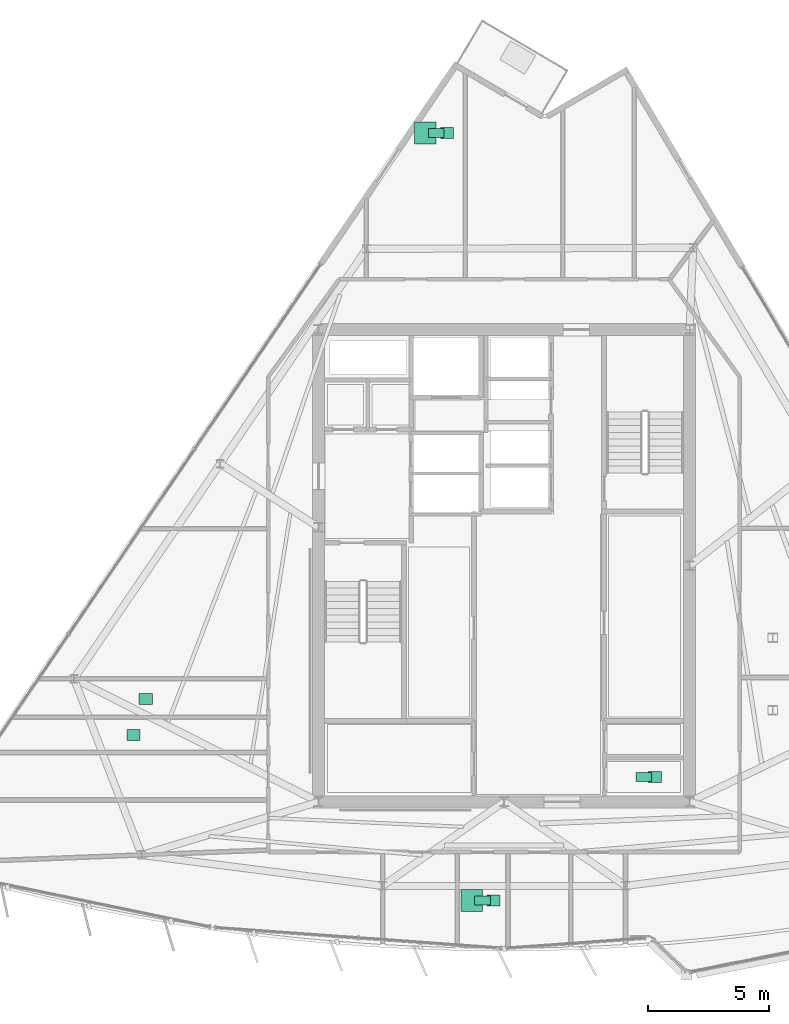
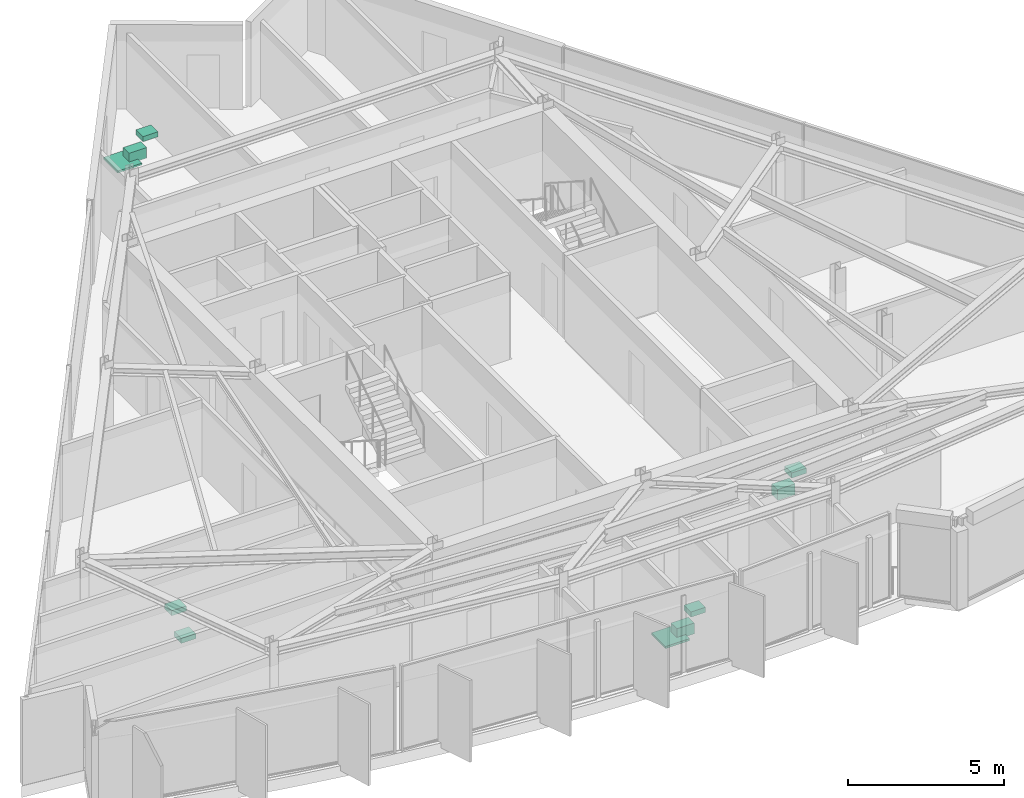
# One storey, part 14 of 14: 10 sanitary terminals.
"""IFC4 building model written with IfcOpenShell, lengths in metres."""

from ifc_helpers import new_model, si_unit, direction, frame, origin, origin_2d, place, context, subcontext, project, spatial, rectangle, extrude, material, type_object, element, save


model = new_model("IFC4")

# Units and contexts
model_context = context("Model", 3, precision=1e-05, world=origin(), true_north=direction((0.0, 1.0)))
body_context = subcontext(model_context, "Body", "Model", "MODEL_VIEW")
ifc_project = project(units=[si_unit("LENGTHUNIT", "METRE"), si_unit("AREAUNIT", "SQUARE_METRE"), si_unit("VOLUMEUNIT", "CUBIC_METRE"), si_unit("PLANEANGLEUNIT", "RADIAN"), si_unit("MASSUNIT", "GRAM", prefix="KILO")], contexts=[model_context])

# Site, building, storey
site_placement = place(None, origin())
site = spatial("IfcSite", under=ifc_project, at=site_placement, CompositionType="ELEMENT")
building_placement = place(site_placement, origin())
building = spatial("IfcBuilding", under=site, at=building_placement, Name="Savorim Split Tower", CompositionType="ELEMENT")
storey_placement = place(building_placement, frame((0.0, 0.0, 294.0)))
storey = spatial("IfcBuildingStorey", under=building, at=storey_placement, Name="L78", CompositionType="ELEMENT", Elevation=294.0)

# Sanitary terminals
ifc_material = material(Name="Vitreous China Sanitaryware")
sanitary_terminal_type_1 = type_object("IfcSanitaryTerminalType", Name="SAN-SHW-900", PredefinedType="SHOWER", material=ifc_material)
for number, where, z_axis, x_axis, name in (
    (1, (-1.341796875, -13.493896484375, 0.0), (0.0, 0.0, 1.0), (1.0, 0.0, 0.0), "L78 Shared Bathroom Shower"),
    (2, (-3.26513671875, 18.345947265625, 0.0), (0.0, 0.0, 1.0), (1.0, 0.0, 0.0), "L78 Shared Bathroom Shower"),
):
    element("IfcSanitaryTerminal", number, at=place(storey_placement, frame(where, z_axis=z_axis, x_axis=x_axis)), inside=storey, type_object=sanitary_terminal_type_1, Name=name, PredefinedType="SHOWER", context=body_context, shape_type="SweptSolid", body=[
        extrude(rectangle(XDim=0.89990234375, YDim=0.89990234375, at=origin_2d()), origin(), (0.0, 0.0, 1.0), 0.080078125),
    ])
sanitary_terminal_type_2 = type_object("IfcSanitaryTerminalType", Name="SAN-WC-PAN", PredefinedType="TOILETPAN", material=ifc_material)
for number, where, z_axis, x_axis, name in (
    (3, (5.800048828125, -8.3701171875, 0.0), (0.0, 0.0, 1.0), (1.0, 0.0, 0.0), "L78 Accessible WC WC Pan"),
    (4, (-0.891845703125, -13.493896484375, 0.0), (0.0, 0.0, 1.0), (1.0, 0.0, 0.0), "L78 Shared Bathroom WC Pan"),
    (5, (-2.815185546875, 18.345947265625, 0.0), (0.0, 0.0, 1.0), (1.0, 0.0, 0.0), "L78 Shared Bathroom WC Pan"),
):
    element("IfcSanitaryTerminal", number, at=place(storey_placement, frame(where, z_axis=z_axis, x_axis=x_axis)), inside=storey, type_object=sanitary_terminal_type_2, Name=name, PredefinedType="TOILETPAN", context=body_context, shape_type="SweptSolid", body=[
        extrude(rectangle(XDim=0.64990234375, YDim=0.3798828125, at=origin_2d()), origin(), (0.0, 0.0, 1.0), 0.419921875),
    ])
sanitary_terminal_type_3 = type_object("IfcSanitaryTerminalType", Name="SAN-WHB-550", PredefinedType="WASHHANDBASIN", material=ifc_material)
for number, where, z_axis, x_axis, name in (
    (6, (6.25, -8.3701171875, 0.72021484375), (0.0, 0.0, 1.0), (1.0, 0.0, 0.0), "L78 Accessible WC Washhand Basin"),
    (7, (-14.864990234375, -5.130859375, 0.75), (0.0, 0.0, 1.0), (1.0, 0.0, 0.0), "L78 Shared Kitchen Utility Sink"),
    (8, (-15.3720703125, -6.6220703125, 0.75), (0.0, 0.0, 1.0), (1.0, 0.0, 0.0), "L78 Community Laundry Room Utility Sink"),
    (9, (-0.44189453125, -13.493896484375, 0.72021484375), (0.0, 0.0, 1.0), (1.0, 0.0, 0.0), "L78 Shared Bathroom Washhand Basin"),
    (10, (-2.365234375, 18.345947265625, 0.72021484375), (0.0, 0.0, 1.0), (1.0, 0.0, 0.0), "L78 Shared Bathroom Washhand Basin"),
):
    element("IfcSanitaryTerminal", number, at=place(storey_placement, frame(where, z_axis=z_axis, x_axis=x_axis)), inside=storey, type_object=sanitary_terminal_type_3, Name=name, PredefinedType="WASHHANDBASIN", context=body_context, shape_type="SweptSolid", body=[
        extrude(rectangle(XDim=0.550048828125, YDim=0.449951171875, at=origin_2d()), origin(), (0.0, 0.0, 1.0), 0.199951171875),
    ])

save(model, "model.ifc")
